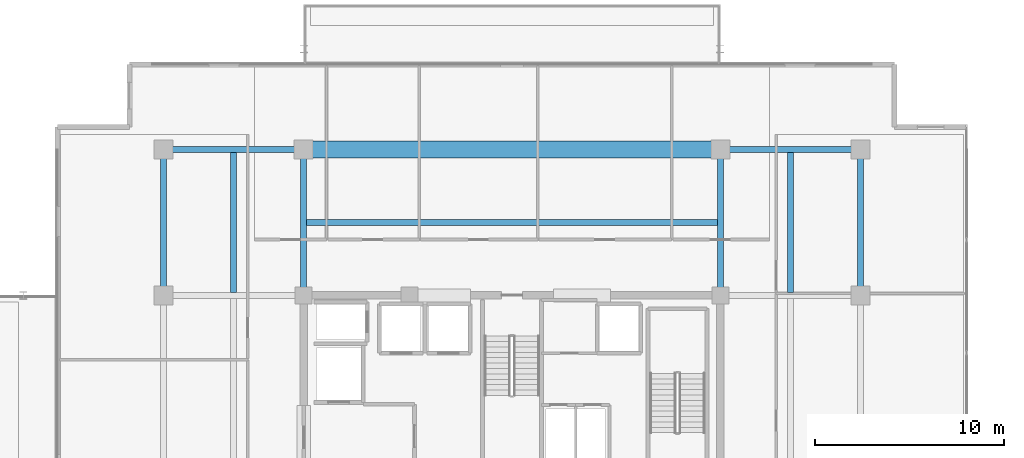
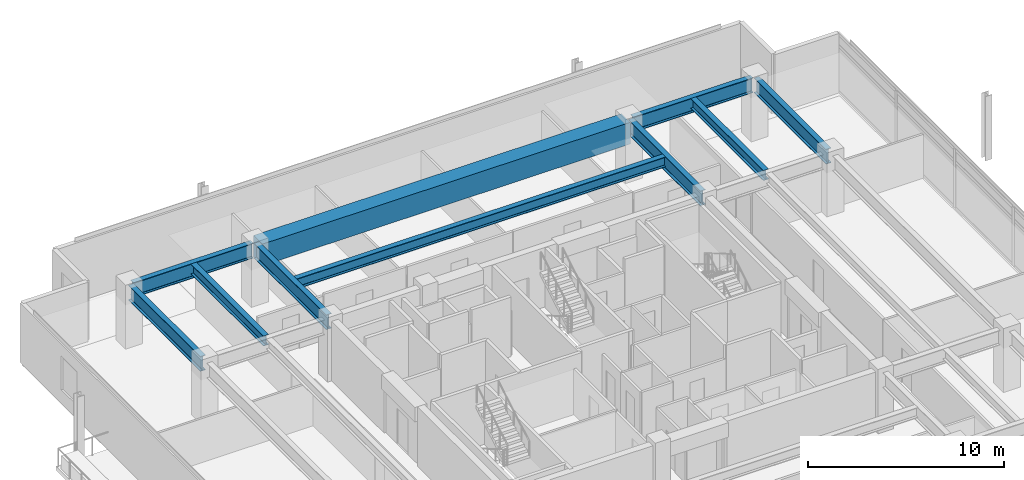
# One storey, part 8 of 18: 10 beams.
"""IFC4 building model written with IfcOpenShell, lengths in metres."""

from ifc_helpers import new_model, si_unit, direction, frame, origin, origin_2d, place, context, subcontext, project, spatial, rectangle, i_section, extrude, material, material_profile, profile_set, type_object, element, save


model = new_model("IFC4")

# Units and contexts
model_context = context("Model", 3, precision=1e-05, world=origin(), true_north=direction((0.0, 1.0)))
body_context = subcontext(model_context, "Body", "Model", "MODEL_VIEW")
ifc_project = project(units=[si_unit("LENGTHUNIT", "METRE"), si_unit("AREAUNIT", "SQUARE_METRE"), si_unit("VOLUMEUNIT", "CUBIC_METRE"), si_unit("PLANEANGLEUNIT", "RADIAN"), si_unit("MASSUNIT", "GRAM", prefix="KILO")], contexts=[model_context])

# Site, building, storey
site_placement = place(None, origin())
site = spatial("IfcSite", under=ifc_project, at=site_placement, CompositionType="ELEMENT")
building_placement = place(site_placement, origin())
building = spatial("IfcBuilding", under=site, at=building_placement, Name="Kovane Verandah Tower", CompositionType="ELEMENT")
storey_placement = place(building_placement, frame((0.0, 0.0, 338.800048828125)))
storey = spatial("IfcBuildingStorey", under=building, at=storey_placement, Name="L79", CompositionType="ELEMENT", Elevation=338.800048828125)

# Beams
ifc_material_1 = material(Name="Concrete C80/95", Category="concrete")
ifc_material_profile_1 = material_profile(ifc_material_1, rectangle(XDim=0.89990234375, YDim=1.35009765625, at=origin_2d()), Name="RCB900x1350")
ifc_profile_set_1 = profile_set([ifc_material_profile_1], Name="Concrete C80/95")
beam_type_1 = type_object("IfcBeamType", Name="BM-TR-900x1350", PredefinedType="BEAM", material=ifc_profile_set_1)
beam_1_placement = place(storey_placement, frame((29.179931640625, 44.199951171875, 3.02490234375), z_axis=(1.0, 0.0, 0.0), x_axis=(0.0, 1.0, 0.0)))
element("IfcBeam", 1, at=beam_1_placement, inside=storey, type_object=beam_type_1, Name="L79 Primary Tower Girder G-RN2", PredefinedType="BEAM", context=body_context, shape_type="SweptSolid", body=[
    extrude(rectangle(XDim=0.89990234375, YDim=1.35009765625, at=origin_2d()), origin(), (0.0, 0.0, 1.0), 21.64013671875),
])
ifc_material_2 = material(Name="Steel S460", Category="steel")
ifc_material_profile_2 = material_profile(ifc_material_2, i_section(OverallWidth=0.311279296875, OverallDepth=0.6357421875, WebThickness=0.018310546875, FlangeThickness=0.031494140625, FilletRadius=0.0166015625, at=origin_2d()), Name="UB610x305x238")
ifc_profile_set_2 = profile_set([ifc_material_profile_2], Name="Steel S460")
beam_type_2 = type_object("IfcBeamType", Name="BM-UB610x238", PredefinedType="BEAM", material=ifc_profile_set_2)
beam_2_placement = place(storey_placement, frame((29.15185546875, 40.35009765625, 3.382080078125), z_axis=(1.0, 0.0, 0.0), x_axis=(0.0, 1.0, 0.0)))
element("IfcBeam", 2, at=beam_2_placement, inside=storey, type_object=beam_type_2, Name="L79 Secondary Composite Joist J-N1", PredefinedType="BEAM", context=body_context, shape_type="SweptSolid", body=[
    extrude(i_section(OverallWidth=0.311279296875, OverallDepth=0.6357421875, WebThickness=0.018310546875, FlangeThickness=0.031494140625, FilletRadius=0.0166015625, at=origin_2d()), origin(), (0.0, 0.0, 1.0), 21.6962890625),
])
for number, where, z_axis, x_axis, name in (
    (3, (25.300048828125, 36.65185546875, 3.382080078125), (0.0, 1.0, 0.0), (-1.0, 0.0, 0.0), "L79 Secondary Composite Joist J-NW1"),
    (4, (54.699951171875, 36.65185546875, 3.382080078125), (0.0, 1.0, 0.0), (-1.0, 0.0, 0.0), "L79 Secondary Composite Joist J-NE1"),
):
    element("IfcBeam", number, at=place(storey_placement, frame(where, z_axis=z_axis, x_axis=x_axis)), inside=storey, type_object=beam_type_2, Name=name, PredefinedType="BEAM", context=body_context, shape_type="SweptSolid", body=[
        extrude(i_section(OverallWidth=0.311279296875, OverallDepth=0.6357421875, WebThickness=0.018310546875, FlangeThickness=0.031494140625, FilletRadius=0.0166015625, at=origin_2d()), origin(), (0.0, 0.0, 1.0), 7.396240234375),
    ])
ifc_material_profile_3 = material_profile(ifc_material_2, i_section(OverallWidth=0.3076171875, OverallDepth=0.926513671875, WebThickness=0.01953125, FlangeThickness=0.031982421875, FilletRadius=0.01904296875, at=origin_2d()), Name="UB914x305x289")
ifc_profile_set_3 = profile_set([ifc_material_profile_3], Name="Steel S460")
beam_type_3 = type_object("IfcBeamType", Name="BM-UB914x289", PredefinedType="BEAM", material=ifc_profile_set_3)
for number, where, z_axis, x_axis, name in (
    (5, (21.780029296875, 44.199951171875, 3.236572265625), (1.0, 0.0, 0.0), (0.0, 1.0, 0.0), "L79 Primary Tower Girder G-RN1"),
    (6, (51.179931640625, 44.199951171875, 3.236572265625), (1.0, 0.0, 0.0), (0.0, 1.0, 0.0), "L79 Primary Tower Girder G-RN3"),
):
    element("IfcBeam", number, at=place(storey_placement, frame(where, z_axis=z_axis, x_axis=x_axis)), inside=storey, type_object=beam_type_3, Name=name, PredefinedType="BEAM", context=body_context, shape_type="SweptSolid", body=[
        extrude(i_section(OverallWidth=0.3076171875, OverallDepth=0.926513671875, WebThickness=0.01953125, FlangeThickness=0.031982421875, FilletRadius=0.01904296875, at=origin_2d()), origin(), (0.0, 0.0, 1.0), 7.0400390625),
    ])
for number, where, z_axis, x_axis, name in (
    (7, (21.60009765625, 36.679931640625, 3.236572265625), (0.0, 1.0, 0.0), (-1.0, 0.0, 0.0), "L79 Primary Tower Girder G-RW3"),
    (8, (58.39990234375, 36.679931640625, 3.236572265625), (0.0, 1.0, 0.0), (-1.0, 0.0, 0.0), "L79 Primary Tower Girder G-RE3"),
    (9, (29.0, 36.679931640625, 3.236572265625), (0.0, 1.0, 0.0), (-1.0, 0.0, 0.0), "L79 Primary Tower Girder G-N1"),
    (10, (51.0, 36.679931640625, 3.236572265625), (0.0, 1.0, 0.0), (-1.0, 0.0, 0.0), "L79 Primary Tower Girder G-N2"),
):
    element("IfcBeam", number, at=place(storey_placement, frame(where, z_axis=z_axis, x_axis=x_axis)), inside=storey, type_object=beam_type_3, Name=name, PredefinedType="BEAM", context=body_context, shape_type="SweptSolid", body=[
        extrude(i_section(OverallWidth=0.3076171875, OverallDepth=0.926513671875, WebThickness=0.01953125, FlangeThickness=0.031982421875, FilletRadius=0.01904296875, at=origin_2d()), origin(), (0.0, 0.0, 1.0), 7.340087890625),
    ])

save(model, "model.ifc")
